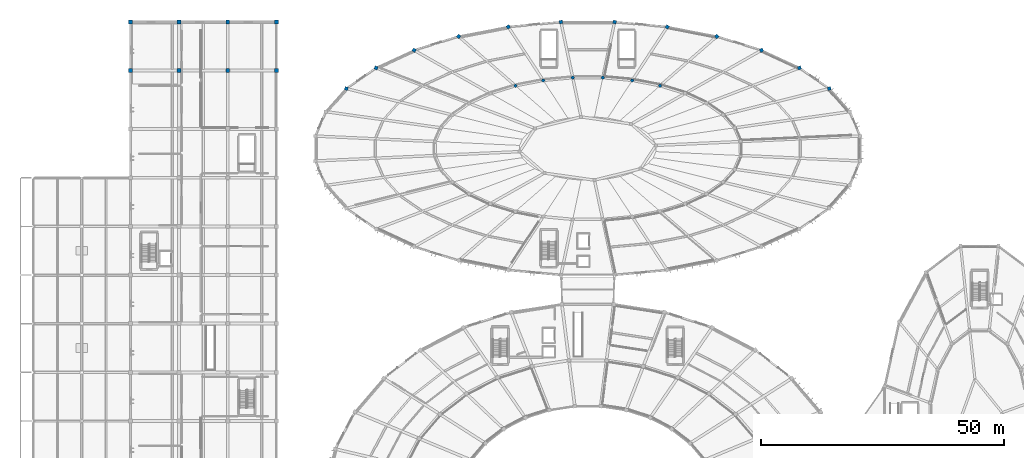
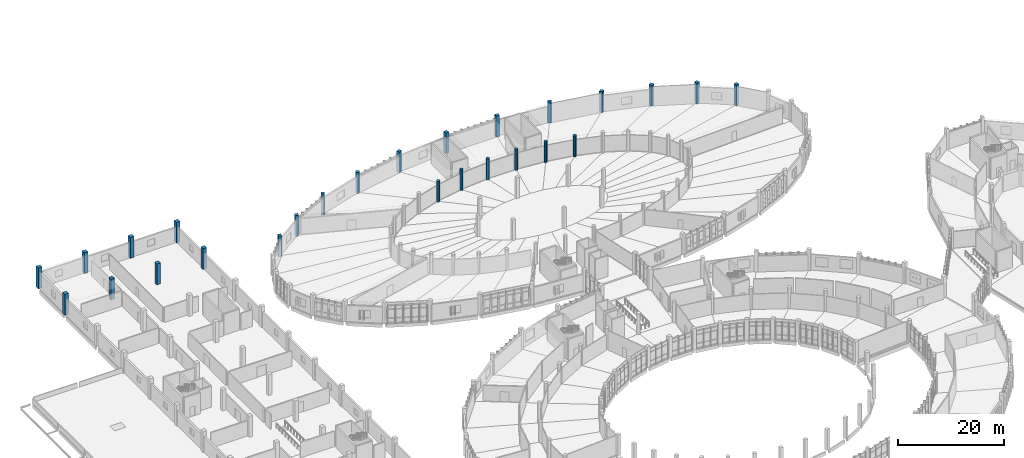
# One storey, part 3 of 179: 26 columns.
"""IFC4 building model written with IfcOpenShell, lengths in metres."""

from ifc_helpers import new_model, si_unit, direction, frame, origin, origin_2d, place, context, subcontext, project, spatial, rectangle, circle, extrude, material, material_profile, profile_set, type_object, element, save


model = new_model("IFC4")

# Units and contexts
model_context = context("Model", 3, precision=1e-05, world=origin(), true_north=direction((0.0, 1.0)))
body_context = subcontext(model_context, "Body", "Model", "MODEL_VIEW")
ifc_project = project(units=[si_unit("LENGTHUNIT", "METRE"), si_unit("AREAUNIT", "SQUARE_METRE"), si_unit("VOLUMEUNIT", "CUBIC_METRE"), si_unit("PLANEANGLEUNIT", "RADIAN"), si_unit("MASSUNIT", "GRAM", prefix="KILO")], contexts=[model_context])

# Site, building, storey
site_placement = place(None, origin())
site = spatial("IfcSite", under=ifc_project, at=site_placement, CompositionType="ELEMENT")
building_placement = place(site_placement, origin())
building = spatial("IfcBuilding", under=site, at=building_placement, Name="Corvandel Quay Wholesale Market", CompositionType="ELEMENT")
storey_placement = place(building_placement, frame((0.0, 0.0, 6.0)))
storey = spatial("IfcBuildingStorey", under=building, at=storey_placement, Name="L01", CompositionType="ELEMENT", Elevation=6.0)

# Columns
ifc_material = material(Name="Precast concrete C45/55", Category="concrete")
ifc_material_profile_1 = material_profile(ifc_material, circle(Radius=0.324951171875, at=origin_2d()), Name="PC-COL-D650")
ifc_profile_set_1 = profile_set([ifc_material_profile_1], Name="Precast concrete C45/55")
column_type_1 = type_object("IfcColumnType", Name="Circular Gallery Column C12 D650", PredefinedType="COLUMN", material=ifc_profile_set_1)
for number, where, z_axis, x_axis, name in (
    (1, (128.85498046875, 128.903076171875, 0.0), (0.0, 0.0, 1.0), (1.0, 0.0, 0.0), "Column COL-0348"),
    (2, (123.14697265625, 130.0, 0.0), (0.0, 0.0, 1.0), (1.0, 0.0, 0.0), "Column COL-0352"),
    (3, (117.089111328125, 130.56005859375, 0.0), (0.0, 0.0, 1.0), (1.0, 0.0, 0.0), "Column COL-0356"),
    (4, (110.910888671875, 130.56005859375, 0.0), (0.0, 0.0, 1.0), (1.0, 0.0, 0.0), "Column COL-0360"),
    (5, (104.85302734375, 130.0, 0.0), (0.0, 0.0, 1.0), (1.0, 0.0, 0.0), "Column COL-0366"),
    (6, (99.14501953125, 128.903076171875, 0.0), (0.0, 0.0, 1.0), (1.0, 0.0, 0.0), "Column COL-0370"),
):
    element("IfcColumn", number, at=place(storey_placement, frame(where, z_axis=z_axis, x_axis=x_axis)), inside=storey, type_object=column_type_1, Name=name, PredefinedType="COLUMN", context=body_context, shape_type="SweptSolid", body=[
        extrude(circle(Radius=0.324951171875, at=origin_2d()), origin(), (0.0, 0.0, 1.0), 4.800048828125),
    ])
ifc_material_profile_2 = material_profile(ifc_material, rectangle(XDim=0.800048828125, YDim=0.800048828125, at=origin_2d()), Name="PC-COL-800x800")
ifc_profile_set_2 = profile_set([ifc_material_profile_2], Name="Precast concrete C45/55")
column_type_2 = type_object("IfcColumnType", Name="Precast Column C02 800x800", PredefinedType="COLUMN", material=ifc_profile_set_2)
for number, where, z_axis, x_axis, name in (
    (7, (20.0, 132.0, 0.0), (0.0, 0.0, 1.0), (1.0, 0.0, 0.0), "Column COL-0648"),
    (8, (20.0, 142.0, 0.0), (0.0, 0.0, 1.0), (1.0, 0.0, 0.0), "Column COL-0650"),
    (9, (30.0, 132.0, 0.0), (0.0, 0.0, 1.0), (1.0, 0.0, 0.0), "Column COL-0688"),
    (10, (30.0, 142.0, 0.0), (0.0, 0.0, 1.0), (1.0, 0.0, 0.0), "Column COL-0690"),
    (11, (40.0, 132.0, 0.0), (0.0, 0.0, 1.0), (1.0, 0.0, 0.0), "Column COL-0728"),
    (12, (40.0, 142.0, 0.0), (0.0, 0.0, 1.0), (1.0, 0.0, 0.0), "Column COL-0730"),
    (13, (50.0, 132.0, 0.0), (0.0, 0.0, 1.0), (1.0, 0.0, 0.0), "Column COL-0768"),
    (14, (50.0, 142.0, 0.0), (0.0, 0.0, 1.0), (1.0, 0.0, 0.0), "Column COL-0770"),
):
    element("IfcColumn", number, at=place(storey_placement, frame(where, z_axis=z_axis, x_axis=x_axis)), inside=storey, type_object=column_type_2, Name=name, PredefinedType="COLUMN", context=body_context, shape_type="SweptSolid", body=[
        extrude(rectangle(XDim=0.800048828125, YDim=0.800048828125, at=origin_2d()), origin(), (0.0, 0.0, 1.0), 4.800048828125),
    ])
ifc_material_profile_3 = material_profile(ifc_material, rectangle(XDim=0.699951171875, YDim=0.699951171875, at=origin_2d()), Name="PC-COL-700x700")
ifc_profile_set_3 = profile_set([ifc_material_profile_3], Name="Precast concrete C45/55")
column_type_3 = type_object("IfcColumnType", Name="Precast Column C04 700x700", PredefinedType="COLUMN", material=ifc_profile_set_3)
for number, where, z_axis, x_axis, name in (
    (15, (163.626953125, 128.31591796875, 0.0), (0.0, 0.0, 1.0), (-0.240905671828, 0.970548534222, 0.0), "Column COL-0332"),
    (16, (157.498046875, 132.573974609375, 0.0), (0.0, 0.0, 1.0), (-0.356085714679, 0.934453296747, 0.0), "Column COL-0336"),
    (17, (149.697998046875, 136.196044921875, 0.0), (0.0, 0.0, 1.0), (-0.492423560103, 0.87035569594, 0.0), "Column COL-0340"),
    (18, (140.52587890625, 139.041015625, 0.0), (0.0, 0.0, 1.0), (-0.655795545685, 0.754938542041, 0.0), "Column COL-0346"),
    (19, (130.3349609375, 141.0009765625, 0.0), (0.0, 0.0, 1.0), (-0.837146380758, 0.546978918409, 0.0), "Column COL-0350"),
    (20, (119.51611328125, 142.0, 0.0), (0.0, 0.0, 1.0), (-0.978220116011, 0.207570240234, 0.0), "Column COL-0354"),
    (21, (108.48388671875, 142.0, 0.0), (0.0, 0.0, 1.0), (0.978220116011, 0.207570240234, 0.0), "Column COL-0358"),
    (22, (97.6650390625, 141.0009765625, 0.0), (0.0, 0.0, 1.0), (0.837146380758, 0.546978918409, 0.0), "Column COL-0364"),
    (23, (87.47412109375, 139.041015625, 0.0), (0.0, 0.0, 1.0), (0.655795545685, 0.754938542041, 0.0), "Column COL-0368"),
    (24, (78.302001953125, 136.196044921875, 0.0), (0.0, 0.0, 1.0), (0.492423560103, 0.87035569594, 0.0), "Column COL-0372"),
    (25, (70.501953125, 132.573974609375, 0.0), (0.0, 0.0, 1.0), (0.356085714679, 0.934453296747, 0.0), "Column COL-0376"),
    (26, (64.373046875, 128.31591796875, 0.0), (0.0, 0.0, 1.0), (0.240905671828, 0.970548534222, 0.0), "Column COL-0382"),
):
    element("IfcColumn", number, at=place(storey_placement, frame(where, z_axis=z_axis, x_axis=x_axis)), inside=storey, type_object=column_type_3, Name=name, PredefinedType="COLUMN", context=body_context, shape_type="SweptSolid", body=[
        extrude(rectangle(XDim=0.699951171875, YDim=0.699951171875, at=origin_2d()), origin(), (0.0, 0.0, 1.0), 4.800048828125),
    ])

save(model, "model.ifc")
